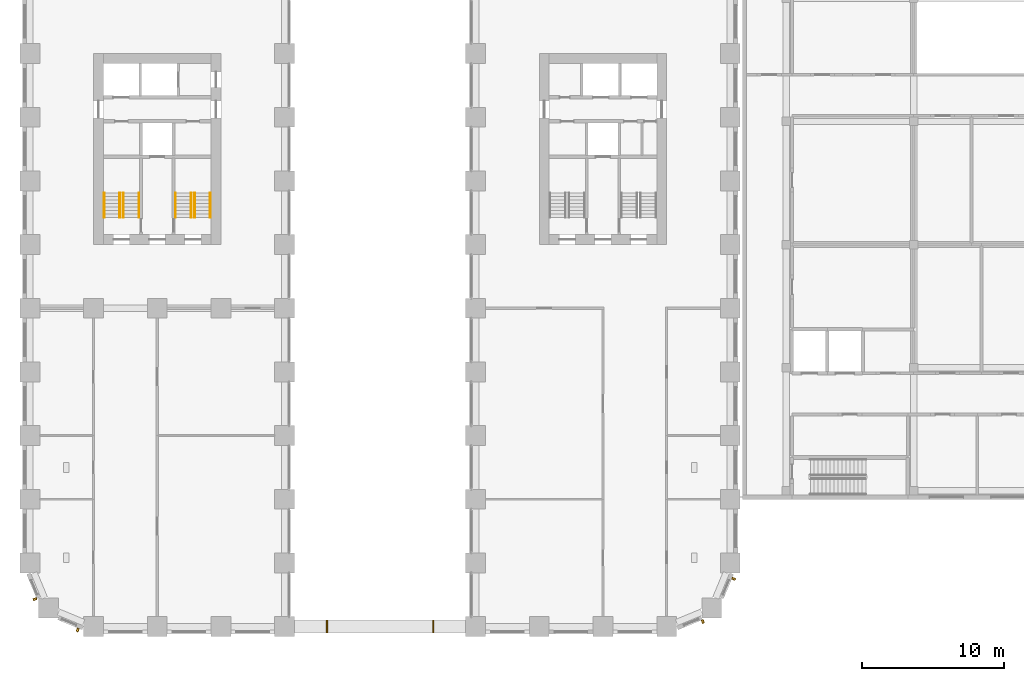
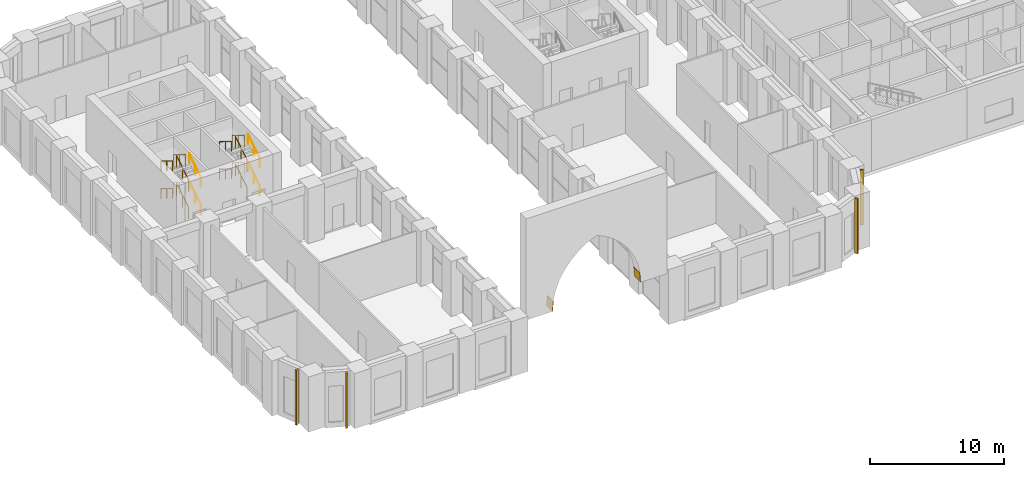
# One storey, part 20 of 25: 16 railings, 4 shading devices, 2 coverings.
"""IFC4 building model written with IfcOpenShell, lengths in metres."""

from ifc_helpers import new_model, si_unit, direction, frame, origin, origin_2d, place, context, subcontext, project, spatial, polyline, rectangle, circle, outline, extrude, material, layer, layer_set, type_object, element, save


model = new_model("IFC4")

# Units and contexts
model_context = context("Model", 3, precision=1e-05, world=origin(), true_north=direction((0.0, 1.0)))
body_context = subcontext(model_context, "Body", "Model", "MODEL_VIEW")
ifc_project = project(units=[si_unit("LENGTHUNIT", "METRE"), si_unit("AREAUNIT", "SQUARE_METRE"), si_unit("VOLUMEUNIT", "CUBIC_METRE"), si_unit("PLANEANGLEUNIT", "RADIAN"), si_unit("MASSUNIT", "GRAM", prefix="KILO")], contexts=[model_context])

# Site, building, storey
site_placement = place(None, origin())
site = spatial("IfcSite", under=ifc_project, at=site_placement, CompositionType="ELEMENT")
building_placement = place(site_placement, origin())
building = spatial("IfcBuilding", under=site, at=building_placement, Name="Girih Gate Residences", CompositionType="ELEMENT")
storey_placement = place(building_placement, frame((0.0, 0.0, 6.0)))
storey = spatial("IfcBuildingStorey", under=building, at=storey_placement, Name="L01", CompositionType="ELEMENT", Elevation=6.0)

# Shading devices
ifc_material_1 = material(Name="Precast concrete C50/60", Category="concrete")
shading_device_type = type_object("IfcShadingDeviceType", Name="Corner rib 150x250", PredefinedType="USERDEFINED", material=ifc_material_1)
for number, where, z_axis, x_axis, name in (
    (1, (0.35498046875, 1.9443359375, 0.0), (0.0, 0.0, 1.0), (0.382683432365, -0.923879532511, 0.0), "Corner rib SW0000_0045.0"),
    (2, (3.376220703125, -0.238037109375, 0.0), (0.0, 0.0, 1.0), (0.923879532511, -0.382683432365, 0.0), "Corner rib SW0013_0013.0"),
    (3, (47.5556640625, 0.35498046875, 0.0), (0.0, 0.0, 1.0), (0.923879532511, 0.382683432365, 0.0), "Corner rib SE0450_0000.0"),
    (4, (49.738037109375, 3.376220703125, 0.0), (0.0, 0.0, 1.0), (0.382683432365, 0.923879532511, 0.0), "Corner rib SE0482_0013.0"),
):
    element("IfcShadingDevice", number, at=place(storey_placement, frame(where, z_axis=z_axis, x_axis=x_axis)), inside=storey, type_object=shading_device_type, Name=name, ObjectType="FIN", PredefinedType="USERDEFINED", context=body_context, shape_type="SweptSolid", body=[
        extrude(rectangle(XDim=0.14990234375, YDim=0.25, at=origin_2d()), origin(), (0.0, 0.0, 1.0), 5.0),
    ])

# Coverings
ifc_material_2 = material(Name="Glazed ceramic tile")
ifc_layer_1 = layer(ifc_material_2, 0.010009765625, Name="Tile")
ifc_material_3 = material(Name="Tile adhesive mortar")
ifc_layer_2 = layer(ifc_material_3, 0.02001953125, Name="Adhesive bed")
ifc_layer_set = layer_set([ifc_layer_1, ifc_layer_2], Name="Glazed tile lining 30")
covering_type = type_object("IfcCoveringType", Name="Glazed tile lining 30", PredefinedType="CLADDING", material=ifc_layer_set)
for number, where, z_axis, x_axis, name in (
    (5, (20.949951171875, -0.449951171875, 4.5), (-0.997218549662, 0.0, 0.074532973979), (0.074532973979, 0.0, 0.997218549662), "Glazed tile lining S arch 1"),
    (6, (28.483154296875, -0.449951171875, 5.39501953125), (0.997218549662, 0.0, 0.074532973979), (0.074532973979, 0.0, -0.997218549662), "Glazed tile lining S arch 16"),
):
    element("IfcCovering", number, at=place(storey_placement, frame(where, z_axis=z_axis, x_axis=x_axis)), inside=storey, type_object=covering_type, Name=name, PredefinedType="CLADDING", context=body_context, shape_type="SweptSolid", body=[
        extrude(outline(polyline([(0.0, 0.0), (0.8975159272292202, 0.0), (0.8975159272292202, 0.89990234375), (0.0, 0.89990234375), (0.0, 0.0)])), origin(), (0.0, 0.0, -1.0), 0.030029296875),
    ])

# Railings
ifc_material_4 = material(Name="Stainless steel", Category="steel")
railing_type_1 = type_object("IfcRailingType", Name="Stair guard 1100", PredefinedType="GUARDRAIL", material=ifc_material_4)
railing_1_placement = place(storey_placement, frame((6.60009765625, 28.89990234375, 0.15625)))
element("IfcRailing", 7, at=railing_1_placement, inside=storey, type_object=railing_type_1, Name="L01 ST-W1 stair guard 1", PredefinedType="GUARDRAIL", context=body_context, shape_type="SweptSolid", body=[
    extrude(circle(Radius=0.02392578125, at=origin_2d()), frame((0.0, 0.0, 1.076171875), z_axis=(0.0, 0.847998304005, 0.529998940003), x_axis=(-1.0, 0.0, 0.0)), (0.0, 0.0, 1.0), 2.063720703125),
    extrude(circle(Radius=0.02099609375, at=origin_2d()), origin(), (0.0, 0.0, 1.0), 1.052001953125),
    extrude(circle(Radius=0.02099609375, at=origin_2d()), frame((0.0, 0.875, 0.546875)), (0.0, 0.0, 1.0), 1.052001953125),
    extrude(circle(Radius=0.02099609375, at=origin_2d()), frame((0.0, 1.75, 1.09375)), (0.0, 0.0, 1.0), 1.052001953125),
])
railing_2_placement = place(storey_placement, frame((6.35009765625, 30.64990234375, 1.40625)))
element("IfcRailing", 8, at=railing_2_placement, inside=storey, type_object=railing_type_1, Name="L01 ST-W1 stair guard 2", PredefinedType="GUARDRAIL", context=body_context, shape_type="SweptSolid", body=[
    extrude(circle(Radius=0.02392578125, at=origin_2d()), frame((0.0, 0.0, 1.076171875), z_axis=(0.0, -0.847998304005, 0.529998940003), x_axis=(1.0, 0.0, 0.0)), (0.0, 0.0, 1.0), 2.063720703125),
    extrude(circle(Radius=0.02099609375, at=origin_2d()), origin(), (0.0, 0.0, 1.0), 1.052001953125),
    extrude(circle(Radius=0.02099609375, at=origin_2d()), frame((0.0, -0.875, 0.546875)), (0.0, 0.0, 1.0), 1.052001953125),
    extrude(circle(Radius=0.02099609375, at=origin_2d()), frame((0.0, -1.75, 1.09375)), (0.0, 0.0, 1.0), 1.052001953125),
])
railing_3_placement = place(storey_placement, frame((6.60009765625, 28.89990234375, 2.65625)))
element("IfcRailing", 9, at=railing_3_placement, inside=storey, type_object=railing_type_1, Name="L01 ST-W1 stair guard 3", PredefinedType="GUARDRAIL", context=body_context, shape_type="SweptSolid", body=[
    extrude(circle(Radius=0.02392578125, at=origin_2d()), frame((0.0, 0.0, 1.076171875), z_axis=(0.0, 0.847998304005, 0.529998940003), x_axis=(-1.0, 0.0, 0.0)), (0.0, 0.0, 1.0), 2.063720703125),
    extrude(circle(Radius=0.02099609375, at=origin_2d()), origin(), (0.0, 0.0, 1.0), 1.052001953125),
    extrude(circle(Radius=0.02099609375, at=origin_2d()), frame((0.0, 0.875, 0.546875)), (0.0, 0.0, 1.0), 1.052001953125),
    extrude(circle(Radius=0.02099609375, at=origin_2d()), frame((0.0, 1.75, 1.09375)), (0.0, 0.0, 1.0), 1.052001953125),
])
railing_4_placement = place(storey_placement, frame((6.35009765625, 30.64990234375, 3.90625)))
element("IfcRailing", 10, at=railing_4_placement, inside=storey, type_object=railing_type_1, Name="L01 ST-W1 stair guard 4", PredefinedType="GUARDRAIL", context=body_context, shape_type="SweptSolid", body=[
    extrude(circle(Radius=0.02392578125, at=origin_2d()), frame((0.0, 0.0, 1.076171875), z_axis=(0.0, -0.847998304005, 0.529998940003), x_axis=(1.0, 0.0, 0.0)), (0.0, 0.0, 1.0), 2.063720703125),
    extrude(circle(Radius=0.02099609375, at=origin_2d()), origin(), (0.0, 0.0, 1.0), 1.052001953125),
    extrude(circle(Radius=0.02099609375, at=origin_2d()), frame((0.0, -0.875, 0.546875)), (0.0, 0.0, 1.0), 1.052001953125),
    extrude(circle(Radius=0.02099609375, at=origin_2d()), frame((0.0, -1.75, 1.09375)), (0.0, 0.0, 1.0), 1.052001953125),
])
railing_5_placement = place(storey_placement, frame((11.64990234375, 28.89990234375, 0.15625)))
element("IfcRailing", 11, at=railing_5_placement, inside=storey, type_object=railing_type_1, Name="L01 ST-W2 stair guard 1", PredefinedType="GUARDRAIL", context=body_context, shape_type="SweptSolid", body=[
    extrude(circle(Radius=0.02392578125, at=origin_2d()), frame((0.0, 0.0, 1.076171875), z_axis=(0.0, 0.847998304005, 0.529998940003), x_axis=(-1.0, 0.0, 0.0)), (0.0, 0.0, 1.0), 2.063720703125),
    extrude(circle(Radius=0.02099609375, at=origin_2d()), origin(), (0.0, 0.0, 1.0), 1.052001953125),
    extrude(circle(Radius=0.02099609375, at=origin_2d()), frame((0.0, 0.875, 0.546875)), (0.0, 0.0, 1.0), 1.052001953125),
    extrude(circle(Radius=0.02099609375, at=origin_2d()), frame((0.0, 1.75, 1.09375)), (0.0, 0.0, 1.0), 1.052001953125),
])
railing_6_placement = place(storey_placement, frame((11.39990234375, 30.64990234375, 1.40625)))
element("IfcRailing", 12, at=railing_6_placement, inside=storey, type_object=railing_type_1, Name="L01 ST-W2 stair guard 2", PredefinedType="GUARDRAIL", context=body_context, shape_type="SweptSolid", body=[
    extrude(circle(Radius=0.02392578125, at=origin_2d()), frame((0.0, 0.0, 1.076171875), z_axis=(0.0, -0.847998304005, 0.529998940003), x_axis=(1.0, 0.0, 0.0)), (0.0, 0.0, 1.0), 2.063720703125),
    extrude(circle(Radius=0.02099609375, at=origin_2d()), origin(), (0.0, 0.0, 1.0), 1.052001953125),
    extrude(circle(Radius=0.02099609375, at=origin_2d()), frame((0.0, -0.875, 0.546875)), (0.0, 0.0, 1.0), 1.052001953125),
    extrude(circle(Radius=0.02099609375, at=origin_2d()), frame((0.0, -1.75, 1.09375)), (0.0, 0.0, 1.0), 1.052001953125),
])
railing_7_placement = place(storey_placement, frame((11.64990234375, 28.89990234375, 2.65625)))
element("IfcRailing", 13, at=railing_7_placement, inside=storey, type_object=railing_type_1, Name="L01 ST-W2 stair guard 3", PredefinedType="GUARDRAIL", context=body_context, shape_type="SweptSolid", body=[
    extrude(circle(Radius=0.02392578125, at=origin_2d()), frame((0.0, 0.0, 1.076171875), z_axis=(0.0, 0.847998304005, 0.529998940003), x_axis=(-1.0, 0.0, 0.0)), (0.0, 0.0, 1.0), 2.063720703125),
    extrude(circle(Radius=0.02099609375, at=origin_2d()), origin(), (0.0, 0.0, 1.0), 1.052001953125),
    extrude(circle(Radius=0.02099609375, at=origin_2d()), frame((0.0, 0.875, 0.546875)), (0.0, 0.0, 1.0), 1.052001953125),
    extrude(circle(Radius=0.02099609375, at=origin_2d()), frame((0.0, 1.75, 1.09375)), (0.0, 0.0, 1.0), 1.052001953125),
])
railing_8_placement = place(storey_placement, frame((11.39990234375, 30.64990234375, 3.90625)))
element("IfcRailing", 14, at=railing_8_placement, inside=storey, type_object=railing_type_1, Name="L01 ST-W2 stair guard 4", PredefinedType="GUARDRAIL", context=body_context, shape_type="SweptSolid", body=[
    extrude(circle(Radius=0.02392578125, at=origin_2d()), frame((0.0, 0.0, 1.076171875), z_axis=(0.0, -0.847998304005, 0.529998940003), x_axis=(1.0, 0.0, 0.0)), (0.0, 0.0, 1.0), 2.063720703125),
    extrude(circle(Radius=0.02099609375, at=origin_2d()), origin(), (0.0, 0.0, 1.0), 1.052001953125),
    extrude(circle(Radius=0.02099609375, at=origin_2d()), frame((0.0, -0.875, 0.546875)), (0.0, 0.0, 1.0), 1.052001953125),
    extrude(circle(Radius=0.02099609375, at=origin_2d()), frame((0.0, -1.75, 1.09375)), (0.0, 0.0, 1.0), 1.052001953125),
])
railing_type_2 = type_object("IfcRailingType", Name="Stair handrail 900", PredefinedType="HANDRAIL", material=ifc_material_4)
railing_9_placement = place(storey_placement, frame((7.699951171875, 28.89990234375, 0.15625)))
element("IfcRailing", 15, at=railing_9_placement, inside=storey, type_object=railing_type_2, Name="L01 ST-W1 stair handrail 1", PredefinedType="HANDRAIL", context=body_context, shape_type="SweptSolid", body=[
    extrude(circle(Radius=0.02392578125, at=origin_2d()), frame((0.0, 0.0, 0.8857421875), z_axis=(0.0, 0.847998304005, 0.529998940003), x_axis=(-1.0, 0.0, 0.0)), (0.0, 0.0, 1.0), 2.063720703125),
    extrude(circle(Radius=0.02099609375, at=origin_2d()), origin(), (0.0, 0.0, 1.0), 0.86181640625),
    extrude(circle(Radius=0.02099609375, at=origin_2d()), frame((0.0, 0.875, 0.546875)), (0.0, 0.0, 1.0), 0.86181640625),
    extrude(circle(Radius=0.02099609375, at=origin_2d()), frame((0.0, 1.75, 1.09375)), (0.0, 0.0, 1.0), 0.86181640625),
])
railing_10_placement = place(storey_placement, frame((5.25, 30.64990234375, 1.40625)))
element("IfcRailing", 16, at=railing_10_placement, inside=storey, type_object=railing_type_2, Name="L01 ST-W1 stair handrail 2", PredefinedType="HANDRAIL", context=body_context, shape_type="SweptSolid", body=[
    extrude(circle(Radius=0.02392578125, at=origin_2d()), frame((0.0, 0.0, 0.8857421875), z_axis=(0.0, -0.847998304005, 0.529998940003), x_axis=(1.0, 0.0, 0.0)), (0.0, 0.0, 1.0), 2.063720703125),
    extrude(circle(Radius=0.02099609375, at=origin_2d()), origin(), (0.0, 0.0, 1.0), 0.86181640625),
    extrude(circle(Radius=0.02099609375, at=origin_2d()), frame((0.0, -0.875, 0.546875)), (0.0, 0.0, 1.0), 0.86181640625),
    extrude(circle(Radius=0.02099609375, at=origin_2d()), frame((0.0, -1.75, 1.09375)), (0.0, 0.0, 1.0), 0.86181640625),
])
railing_11_placement = place(storey_placement, frame((7.699951171875, 28.89990234375, 2.65625)))
element("IfcRailing", 17, at=railing_11_placement, inside=storey, type_object=railing_type_2, Name="L01 ST-W1 stair handrail 3", PredefinedType="HANDRAIL", context=body_context, shape_type="SweptSolid", body=[
    extrude(circle(Radius=0.02392578125, at=origin_2d()), frame((0.0, 0.0, 0.8857421875), z_axis=(0.0, 0.847998304005, 0.529998940003), x_axis=(-1.0, 0.0, 0.0)), (0.0, 0.0, 1.0), 2.063720703125),
    extrude(circle(Radius=0.02099609375, at=origin_2d()), origin(), (0.0, 0.0, 1.0), 0.86181640625),
    extrude(circle(Radius=0.02099609375, at=origin_2d()), frame((0.0, 0.875, 0.546875)), (0.0, 0.0, 1.0), 0.86181640625),
    extrude(circle(Radius=0.02099609375, at=origin_2d()), frame((0.0, 1.75, 1.09375)), (0.0, 0.0, 1.0), 0.86181640625),
])
railing_12_placement = place(storey_placement, frame((5.25, 30.64990234375, 3.90625)))
element("IfcRailing", 18, at=railing_12_placement, inside=storey, type_object=railing_type_2, Name="L01 ST-W1 stair handrail 4", PredefinedType="HANDRAIL", context=body_context, shape_type="SweptSolid", body=[
    extrude(circle(Radius=0.02392578125, at=origin_2d()), frame((0.0, 0.0, 0.8857421875), z_axis=(0.0, -0.847998304005, 0.529998940003), x_axis=(1.0, 0.0, 0.0)), (0.0, 0.0, 1.0), 2.063720703125),
    extrude(circle(Radius=0.02099609375, at=origin_2d()), origin(), (0.0, 0.0, 1.0), 0.86181640625),
    extrude(circle(Radius=0.02099609375, at=origin_2d()), frame((0.0, -0.875, 0.546875)), (0.0, 0.0, 1.0), 0.86181640625),
    extrude(circle(Radius=0.02099609375, at=origin_2d()), frame((0.0, -1.75, 1.09375)), (0.0, 0.0, 1.0), 0.86181640625),
])
railing_13_placement = place(storey_placement, frame((12.75, 28.89990234375, 0.15625)))
element("IfcRailing", 19, at=railing_13_placement, inside=storey, type_object=railing_type_2, Name="L01 ST-W2 stair handrail 1", PredefinedType="HANDRAIL", context=body_context, shape_type="SweptSolid", body=[
    extrude(circle(Radius=0.02392578125, at=origin_2d()), frame((0.0, 0.0, 0.8857421875), z_axis=(0.0, 0.847998304005, 0.529998940003), x_axis=(-1.0, 0.0, 0.0)), (0.0, 0.0, 1.0), 2.063720703125),
    extrude(circle(Radius=0.02099609375, at=origin_2d()), origin(), (0.0, 0.0, 1.0), 0.86181640625),
    extrude(circle(Radius=0.02099609375, at=origin_2d()), frame((0.0, 0.875, 0.546875)), (0.0, 0.0, 1.0), 0.86181640625),
    extrude(circle(Radius=0.02099609375, at=origin_2d()), frame((0.0, 1.75, 1.09375)), (0.0, 0.0, 1.0), 0.86181640625),
])
railing_14_placement = place(storey_placement, frame((10.300048828125, 30.64990234375, 1.40625)))
element("IfcRailing", 20, at=railing_14_placement, inside=storey, type_object=railing_type_2, Name="L01 ST-W2 stair handrail 2", PredefinedType="HANDRAIL", context=body_context, shape_type="SweptSolid", body=[
    extrude(circle(Radius=0.02392578125, at=origin_2d()), frame((0.0, 0.0, 0.8857421875), z_axis=(0.0, -0.847998304005, 0.529998940003), x_axis=(1.0, 0.0, 0.0)), (0.0, 0.0, 1.0), 2.063720703125),
    extrude(circle(Radius=0.02099609375, at=origin_2d()), origin(), (0.0, 0.0, 1.0), 0.86181640625),
    extrude(circle(Radius=0.02099609375, at=origin_2d()), frame((0.0, -0.875, 0.546875)), (0.0, 0.0, 1.0), 0.86181640625),
    extrude(circle(Radius=0.02099609375, at=origin_2d()), frame((0.0, -1.75, 1.09375)), (0.0, 0.0, 1.0), 0.86181640625),
])
railing_15_placement = place(storey_placement, frame((12.75, 28.89990234375, 2.65625)))
element("IfcRailing", 21, at=railing_15_placement, inside=storey, type_object=railing_type_2, Name="L01 ST-W2 stair handrail 3", PredefinedType="HANDRAIL", context=body_context, shape_type="SweptSolid", body=[
    extrude(circle(Radius=0.02392578125, at=origin_2d()), frame((0.0, 0.0, 0.8857421875), z_axis=(0.0, 0.847998304005, 0.529998940003), x_axis=(-1.0, 0.0, 0.0)), (0.0, 0.0, 1.0), 2.063720703125),
    extrude(circle(Radius=0.02099609375, at=origin_2d()), origin(), (0.0, 0.0, 1.0), 0.86181640625),
    extrude(circle(Radius=0.02099609375, at=origin_2d()), frame((0.0, 0.875, 0.546875)), (0.0, 0.0, 1.0), 0.86181640625),
    extrude(circle(Radius=0.02099609375, at=origin_2d()), frame((0.0, 1.75, 1.09375)), (0.0, 0.0, 1.0), 0.86181640625),
])
railing_16_placement = place(storey_placement, frame((10.300048828125, 30.64990234375, 3.90625)))
element("IfcRailing", 22, at=railing_16_placement, inside=storey, type_object=railing_type_2, Name="L01 ST-W2 stair handrail 4", PredefinedType="HANDRAIL", context=body_context, shape_type="SweptSolid", body=[
    extrude(circle(Radius=0.02392578125, at=origin_2d()), frame((0.0, 0.0, 0.8857421875), z_axis=(0.0, -0.847998304005, 0.529998940003), x_axis=(1.0, 0.0, 0.0)), (0.0, 0.0, 1.0), 2.063720703125),
    extrude(circle(Radius=0.02099609375, at=origin_2d()), origin(), (0.0, 0.0, 1.0), 0.86181640625),
    extrude(circle(Radius=0.02099609375, at=origin_2d()), frame((0.0, -0.875, 0.546875)), (0.0, 0.0, 1.0), 0.86181640625),
    extrude(circle(Radius=0.02099609375, at=origin_2d()), frame((0.0, -1.75, 1.09375)), (0.0, 0.0, 1.0), 0.86181640625),
])

save(model, "model.ifc")
